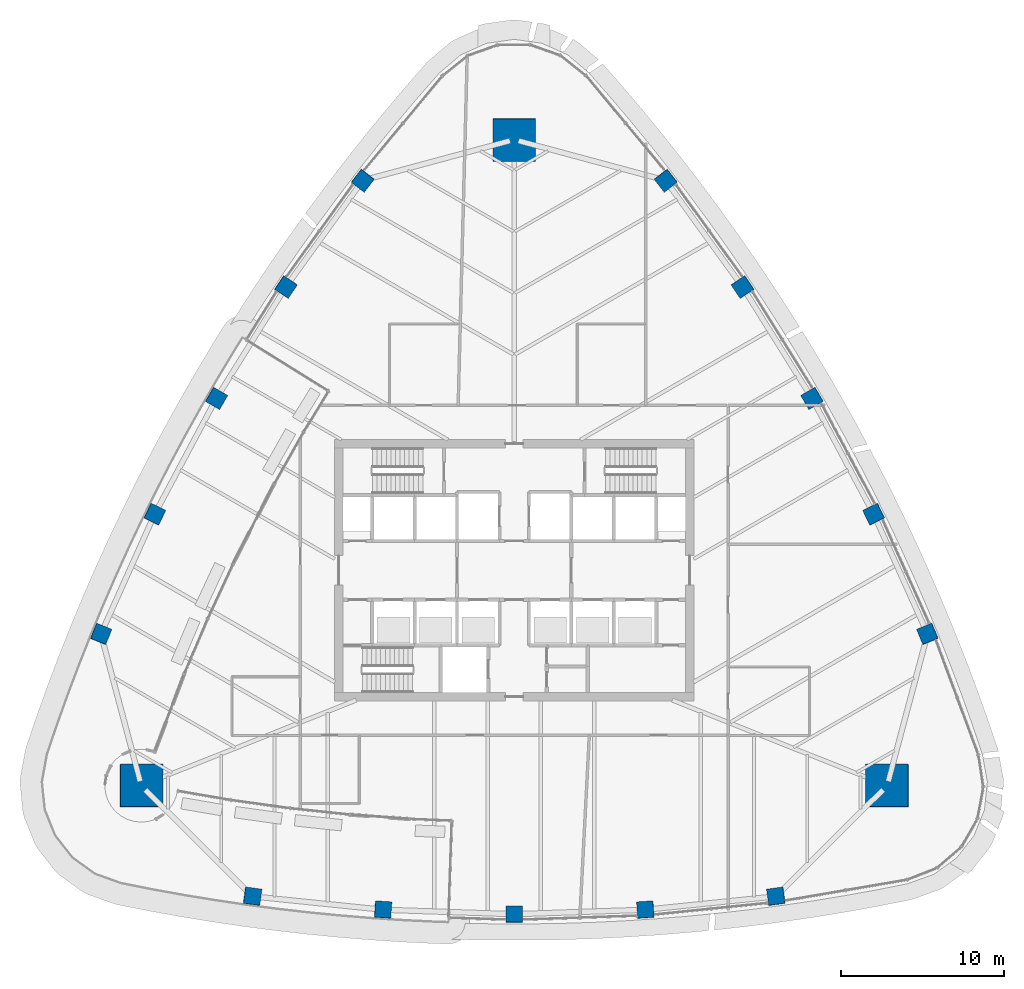
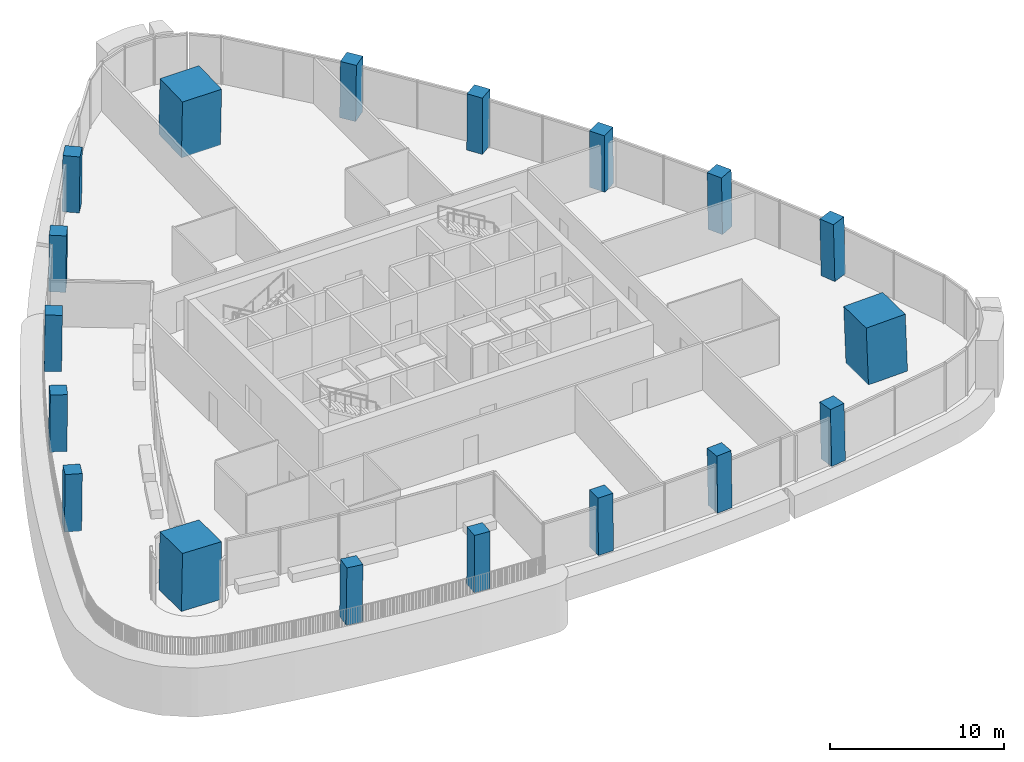
# One storey, part 1 of 18: 18 columns.
"""IFC4 building model written with IfcOpenShell, lengths in metres."""

import ifcopenshell
import ifcopenshell.guid

model = None  # the IFC model being written
_history = None  # IfcOwnerHistory: only IFC2X3 demands one
_inside = {}  # id of a spatial element -> (the spatial element, [elements in it])
_under = {}  # id of a project, library or spatial element -> (it, [spatial elements below it])
_declared = {}  # id of a project -> (the project, [libraries it declares])
_typed = {}  # id of a type object -> (the type object, [elements of that type])
_made_of = {}  # id of a material, layer set ... -> (it, [elements and type objects made of it])


def new_model(schema):
    """Start an empty IFC model of exactly this schema.

    Asked for "IFC4X3", IfcOpenShell would pick the latest addendum, in which some entities
    have other attributes; the version numbers below select the first issue.
    IFC2X3 requires an IfcOwnerHistory on every rooted entity: one is made here for all.
    """
    global model, _history
    if schema == "IFC4X3":
        model = ifcopenshell.file(schema_version=(4, 3, 0, 0))
    else:
        model = ifcopenshell.file(schema=schema)
    _inside.clear()
    _under.clear()
    _declared.clear()
    _typed.clear()
    _made_of.clear()
    _history = None
    if model.schema == "IFC2X3":
        org = make("IfcOrganization", Name="unknown")
        user = make(
            "IfcPersonAndOrganization",
            ThePerson=make("IfcPerson", FamilyName="unknown"),
            TheOrganization=org,
        )
        app = make(
            "IfcApplication",
            ApplicationDeveloper=org,
            Version="unknown",
            ApplicationFullName="unknown",
            ApplicationIdentifier="unknown",
        )
        _history = make(
            "IfcOwnerHistory",
            OwningUser=user,
            OwningApplication=app,
            ChangeAction="ADDED",
            CreationDate=0,
        )
    return model


def make(cls, **values):
    """One entity of the class cls with the attributes given. An attribute that is None is left unset."""
    return model.create_entity(
        cls, **{name: value for name, value in values.items() if value is not None}
    )


def rooted(cls, **values):
    """An entity with a GlobalId (a new one), such as an element, a storey or a relation."""
    return make(cls, GlobalId=ifcopenshell.guid.new(), OwnerHistory=_history, **values)


def si_unit(unit_type, name, prefix=None):
    """IfcSIUnit, for example si_unit("LENGTHUNIT", "METRE", prefix="MILLI")."""
    return make("IfcSIUnit", UnitType=unit_type, Prefix=prefix, Name=name)


def assignment(units):
    """IfcUnitAssignment: the units of a project."""
    return None if units is None else make("IfcUnitAssignment", Units=units)


def point(xyz):
    """IfcCartesianPoint."""
    return None if xyz is None else make("IfcCartesianPoint", Coordinates=xyz)


def direction(xyz):
    """IfcDirection."""
    return None if xyz is None else make("IfcDirection", DirectionRatios=xyz)


def frame(location, z_axis=None, x_axis=None):
    """IfcAxis2Placement3D, a coordinate frame: its origin and axes. An axis left out is left unset."""
    return make(
        "IfcAxis2Placement3D",
        Location=point(location),
        Axis=direction(z_axis),
        RefDirection=direction(x_axis),
    )


def frame_2d(location, x_axis=None):
    """IfcAxis2Placement2D, a coordinate frame in the plane: its origin and x axis."""
    return make(
        "IfcAxis2Placement2D", Location=point(location), RefDirection=direction(x_axis)
    )


def origin():
    """The frame at (0, 0, 0) with its axes left unset."""
    return frame((0.0, 0.0, 0.0))


def origin_2d():
    """The frame at (0, 0) in the plane with its x axis left unset."""
    return frame_2d((0.0, 0.0))


def place(relative_to, where):
    """IfcLocalPlacement: puts the frame where relative to a parent placement (None: the world)."""
    return make(
        "IfcLocalPlacement", PlacementRelTo=relative_to, RelativePlacement=where
    )


def context(
    kind, dimensions, precision=None, world=None, true_north=None, identifier=None
):
    """IfcGeometricRepresentationContext, for example the 3D "Model" context."""
    return make(
        "IfcGeometricRepresentationContext",
        ContextIdentifier=identifier,
        ContextType=kind,
        CoordinateSpaceDimension=dimensions,
        Precision=precision,
        WorldCoordinateSystem=world,
        TrueNorth=true_north,
    )


def subcontext(parent, identifier, kind, view, scale=None):
    """IfcGeometricRepresentationSubContext, for example "Body" below "Model"."""
    return make(
        "IfcGeometricRepresentationSubContext",
        ContextIdentifier=identifier,
        ContextType=kind,
        ParentContext=parent,
        TargetScale=scale,
        TargetView=view,
    )


def project(units=None, contexts=None):
    """IfcProject with its units and contexts."""
    return rooted(
        "IfcProject",
        Name="project",
        RepresentationContexts=contexts,
        UnitsInContext=assignment(units),
    )


def spatial(cls, under=None, at=None, **own):
    """A site, building, storey or space (cls), placed at a placement, below another one or the project."""
    s = rooted(cls, ObjectPlacement=at, **own)
    if under is not None:
        _under.setdefault(under.id(), (under, []))[1].append(s)
    return s


def profile(cls, at=None, kind="AREA", **sizes):
    """A parametric profile (cls). Its sizes go by their IFC names, for example OverallWidth=200.0."""
    return make(cls, ProfileType=kind, Position=at, **sizes)


def rectangle(**sizes):
    """IfcRectangleProfileDef."""
    return profile("IfcRectangleProfileDef", **sizes)


def extrude(swept, where, along, depth):
    """IfcExtrudedAreaSolid: the profile swept, set in the frame where, extruded along a direction by depth."""
    return make(
        "IfcExtrudedAreaSolid",
        SweptArea=swept,
        Position=where,
        ExtrudedDirection=direction(along),
        Depth=depth,
    )


def shape(context_of_items, identifier, shape_type, items):
    """IfcShapeRepresentation: the items that make up one representation, for example the "Body"."""
    return make(
        "IfcShapeRepresentation",
        ContextOfItems=context_of_items,
        RepresentationIdentifier=identifier,
        RepresentationType=shape_type,
        Items=items,
    )


def material(Name=None, Category=None):
    """IfcMaterial."""
    return make("IfcMaterial", Name=Name, Category=Category)


def material_profile(
    of_material, cross_section, Name=None, Category=None, Priority=None
):
    """IfcMaterialProfile: a cross section and its material."""
    return make(
        "IfcMaterialProfile",
        Name=Name,
        Material=of_material,
        Profile=cross_section,
        Priority=Priority,
        Category=Category,
    )


def profile_set(profiles, Name=None, composite=None):
    """IfcMaterialProfileSet."""
    return make(
        "IfcMaterialProfileSet",
        Name=Name,
        MaterialProfiles=profiles,
        CompositeProfile=composite,
    )


def made_of(thing, what):
    """Note that an element or type object is made of a material, layer set ...; save() writes the relation."""
    if what is not None:
        _made_of.setdefault(what.id(), (what, []))[1].append(thing)
    return thing


def type_object(cls, material=None, **own):
    """A type object (cls), such as IfcWallType, which elements share."""
    return made_of(rooted(cls, **own), material)


def element(
    cls,
    number,
    at=None,
    inside=None,
    cuts=None,
    type_object=None,
    material=None,
    context=None,
    identifier="Body",
    shape_type=None,
    held_by="IfcProductDefinitionShape",
    body=None,
    shapes=None,
    **own,
):
    """One element of the class cls, such as IfcWall. Its Tag is "e" and its number.

    at: its placement. inside: the storey or other place that contains it. cuts: it is an
    opening in that element (IfcRelVoidsElement). A single representation is given by context,
    identifier, shape_type and body (its items); several are given by shapes. held_by: the class
    of the entity that holds the representations. save() writes the other relations.
    """
    e = rooted(cls, Tag="e%d" % number, ObjectPlacement=at, **own)
    if body is not None:
        shapes = [shape(context, identifier, shape_type, body)]
    if shapes is not None:
        e.Representation = make(held_by, Representations=shapes)
    if inside is not None:
        _inside.setdefault(inside.id(), (inside, []))[1].append(e)
    if cuts is not None:
        rooted(
            "IfcRelVoidsElement", RelatingBuildingElement=cuts, RelatedOpeningElement=e
        )
    if type_object is not None:
        _typed.setdefault(type_object.id(), (type_object, []))[1].append(e)
    return made_of(e, material)


def aggregate(whole, parts):
    """IfcRelAggregates: a whole, such as a stair, and the parts it consists of."""
    return rooted("IfcRelAggregates", RelatingObject=whole, RelatedObjects=parts)


def save(model, path):
    """Write the relations noted so far, then the file.

    IfcRelAggregates (storeys below a building ...), IfcRelContainedInSpatialStructure (elements
    in a storey), IfcRelDefinesByType, IfcRelAssociatesMaterial and IfcRelDeclares: one each for
    every whole, place, type object, material and project.
    """
    for whole, parts in _under.values():
        aggregate(whole, parts)
    for where, things in _inside.values():
        rooted(
            "IfcRelContainedInSpatialStructure",
            RelatedElements=things,
            RelatingStructure=where,
        )
    for kind, things in _typed.values():
        rooted("IfcRelDefinesByType", RelatedObjects=things, RelatingType=kind)
    for what, things in _made_of.values():
        rooted("IfcRelAssociatesMaterial", RelatedObjects=things, RelatingMaterial=what)
    for by, libraries in _declared.values():
        rooted("IfcRelDeclares", RelatingContext=by, RelatedDefinitions=libraries)
    model.write(path)


model = new_model("IFC4")

# Units and contexts
model_context = context("Model", 3, precision=1e-05, world=origin(), true_north=direction((0.0, 1.0)))
body_context = subcontext(model_context, "Body", "Model", "MODEL_VIEW")
ifc_project = project(units=[si_unit("LENGTHUNIT", "METRE"), si_unit("AREAUNIT", "SQUARE_METRE"), si_unit("VOLUMEUNIT", "CUBIC_METRE"), si_unit("PLANEANGLEUNIT", "RADIAN"), si_unit("MASSUNIT", "GRAM", prefix="KILO")], contexts=[model_context])

# Site, building, storey
site_placement = place(None, origin())
site = spatial("IfcSite", under=ifc_project, at=site_placement, CompositionType="ELEMENT")
building_placement = place(site_placement, origin())
building = spatial("IfcBuilding", under=site, at=building_placement, Name="Sierra Prisma Convention Tower", CompositionType="ELEMENT")
storey_placement = place(building_placement, frame((0.0, 0.0, 205.800048828125)))
storey = spatial("IfcBuildingStorey", under=building, at=storey_placement, Name="L46", CompositionType="ELEMENT", Elevation=205.800048828125)

# Columns
ifc_material_1 = material(Name="Concrete C60/75", Category="concrete")
ifc_material_profile_1 = material_profile(ifc_material_1, rectangle(XDim=2.60009765625, YDim=2.60009765625, at=origin_2d()), Name="Mega column RC 2600 C60/75")
ifc_profile_set_1 = profile_set([ifc_material_profile_1], Name="Concrete C60/75")
column_type_1 = type_object("IfcColumnType", Name="Mega column RC 2600 C60/75", PredefinedType="COLUMN", material=ifc_profile_set_1)
for number, where, z_axis, x_axis, name in (
    (1, (22.851318359375, -13.193115234375, 0.0), (-0.027939561831, 0.016104900269, 0.999479871269), (0.999609614242, 0.000450139585, 0.027935935454), "Mega column SE L46"),
    (2, (0.0, 26.38623046875, 0.0), (0.0, -0.032270781071, 0.999479162709), (1.0, 0.0, 0.0), "Mega column N L46"),
    (3, (-22.851318359375, -13.193115234375, 0.0), (0.027939561831, 0.016104900269, 0.999479871269), (0.999609614242, -0.000450139585, -0.027935935454), "Mega column SW L46"),
):
    element("IfcColumn", number, at=place(storey_placement, frame(where, z_axis=z_axis, x_axis=x_axis)), inside=storey, type_object=column_type_1, Name=name, PredefinedType="COLUMN", context=body_context, shape_type="SweptSolid", body=[
        extrude(rectangle(XDim=2.60009765625, YDim=2.60009765625, at=origin_2d()), origin(), (0.0, 0.0, 1.0), 4.002197265625),
    ])
ifc_material_2 = material(Name="Concrete C60/75", Category="concrete")
ifc_material_profile_2 = material_profile(ifc_material_2, rectangle(XDim=1.0, YDim=1.0, at=origin_2d()), Name="Perimeter column RC 1000 C60/75")
ifc_profile_set_2 = profile_set([ifc_material_profile_2], Name="Concrete C60/75")
column_type_2 = type_object("IfcColumnType", Name="Perimeter column RC 1000 C60/75", PredefinedType="COLUMN", material=ifc_profile_set_2)
column_1_placement = place(storey_placement, frame((-16.043212890625, -19.98046875, 0.0), z_axis=(0.017574453011, 0.010434831475, 0.999791104628), x_axis=(-0.990640715354, 0.135554456771, 0.015998822871)))
element("IfcColumn", 4, at=column_1_placement, inside=storey, type_object=column_type_2, Name="Perimeter column S-1 L46", PredefinedType="COLUMN", context=body_context, shape_type="SweptSolid", body=[
    extrude(rectangle(XDim=1.0, YDim=1.0, at=origin_2d()), origin(), (0.0, 0.0, 1.0), 4.000732421875),
])
column_2_placement = place(storey_placement, frame((-8.040283203125, -20.79833984375, 0.0), z_axis=(0.008849199152, 0.01116829962, 0.999898475225), x_axis=(-0.997656714611, 0.067940759705, 0.008070499548)))
element("IfcColumn", 5, at=column_2_placement, inside=storey, type_object=column_type_2, Name="Perimeter column S-2 L46", PredefinedType="COLUMN", context=body_context, shape_type="SweptSolid", body=[
    extrude(rectangle(XDim=1.0, YDim=1.0, at=origin_2d()), origin(), (0.0, 0.0, 1.0), 4.00048828125),
])
column_3_placement = place(storey_placement, frame((0.0, -21.0712890625, 0.0), z_axis=(0.0, 0.01141283087, 0.999934871525), x_axis=(1.0, 0.0, 0.0)))
element("IfcColumn", 6, at=column_3_placement, inside=storey, type_object=column_type_2, Name="Perimeter column S-3 L46", PredefinedType="COLUMN", context=body_context, shape_type="SweptSolid", body=[
    extrude(rectangle(XDim=1.0, YDim=1.0, at=origin_2d()), origin(), (0.0, 0.0, 1.0), 4.000244140625),
])
column_4_placement = place(storey_placement, frame((8.040283203125, -20.79833984375, 0.0), z_axis=(-0.008849199152, 0.01116829962, 0.999898475225), x_axis=(0.997656714611, 0.067940759705, 0.008070499548)))
element("IfcColumn", 7, at=column_4_placement, inside=storey, type_object=column_type_2, Name="Perimeter column S-4 L46", PredefinedType="COLUMN", context=body_context, shape_type="SweptSolid", body=[
    extrude(rectangle(XDim=1.0, YDim=1.0, at=origin_2d()), origin(), (0.0, 0.0, 1.0), 4.00048828125),
])
for number, where, z_axis, x_axis, name in (
    (8, (16.043212890625, -19.98046875, 0.0), (-0.017574453011, 0.010434831475, 0.999791104628), (0.990640715354, 0.135554456771, 0.015998822871), "Perimeter column S-5 L46"),
    (9, (25.3251953125, -3.90380859375, 0.0), (-0.017818532551, 0.010068691339, 0.999790538739), (-0.378094222489, 0.925627800685, -0.016060308843), "Perimeter column NE-1 L46"),
):
    element("IfcColumn", number, at=place(storey_placement, frame(where, z_axis=z_axis, x_axis=x_axis)), inside=storey, type_object=column_type_2, Name=name, PredefinedType="COLUMN", context=body_context, shape_type="SweptSolid", body=[
        extrude(rectangle(XDim=1.0, YDim=1.0, at=origin_2d()), origin(), (0.0, 0.0, 1.0), 4.000732421875),
    ])
column_5_placement = place(storey_placement, frame((22.031982421875, 3.436279296875, 0.0), z_axis=(-0.014097691364, 0.002013955909, 0.999898594398), x_axis=(-0.440047461755, 0.897938764749, -0.008012874933)))
element("IfcColumn", 10, at=column_5_placement, inside=storey, type_object=column_type_2, Name="Perimeter column NE-2 L46", PredefinedType="COLUMN", context=body_context, shape_type="SweptSolid", body=[
    extrude(rectangle(XDim=1.0, YDim=1.0, at=origin_2d()), origin(), (0.0, 0.0, 1.0), 4.00048828125),
])
column_6_placement = place(storey_placement, frame((18.248291015625, 10.53564453125, 0.0), z_axis=(-0.009887052741, -0.005675900648, 0.999935013058), x_axis=(-0.49997556095, 0.866039512773, -2.7732311e-05)))
element("IfcColumn", 11, at=column_6_placement, inside=storey, type_object=column_type_2, Name="Perimeter column NE-3 L46", PredefinedType="COLUMN", context=body_context, shape_type="SweptSolid", body=[
    extrude(rectangle(XDim=1.0, YDim=1.0, at=origin_2d()), origin(), (0.0, 0.0, 1.0), 4.000244140625),
])
column_7_placement = place(storey_placement, frame((13.99169921875, 17.3623046875, 0.0), z_axis=(-0.005248490815, -0.013243284963, 0.999898529226), x_axis=(-0.557596902326, 0.830072656678, 0.008067165094)))
element("IfcColumn", 12, at=column_7_placement, inside=storey, type_object=column_type_2, Name="Perimeter column NE-4 L46", PredefinedType="COLUMN", context=body_context, shape_type="SweptSolid", body=[
    extrude(rectangle(XDim=1.0, YDim=1.0, at=origin_2d()), origin(), (0.0, 0.0, 1.0), 4.00048828125),
])
for number, where, z_axis, x_axis, name in (
    (13, (9.281982421875, 23.884033203125, 0.0), (-0.0002440896, -0.020442503975, 0.999791000385), (-0.612639458627, 0.790200388685, 0.016007481224), "Perimeter column NE-5 L46"),
    (14, (-9.281982421875, 23.884033203125, 0.0), (0.0002440896, -0.020442503975, 0.999791000385), (0.612639458627, 0.790200388685, 0.016007481224), "Perimeter column NW-1 L46"),
):
    element("IfcColumn", number, at=place(storey_placement, frame(where, z_axis=z_axis, x_axis=x_axis)), inside=storey, type_object=column_type_2, Name=name, PredefinedType="COLUMN", context=body_context, shape_type="SweptSolid", body=[
        extrude(rectangle(XDim=1.0, YDim=1.0, at=origin_2d()), origin(), (0.0, 0.0, 1.0), 4.000732421875),
    ])
column_8_placement = place(storey_placement, frame((-13.99169921875, 17.3623046875, 0.0), z_axis=(0.005248490815, -0.013243284963, 0.999898529226), x_axis=(0.557596902326, 0.830072656678, 0.008067165094)))
element("IfcColumn", 15, at=column_8_placement, inside=storey, type_object=column_type_2, Name="Perimeter column NW-2 L46", PredefinedType="COLUMN", context=body_context, shape_type="SweptSolid", body=[
    extrude(rectangle(XDim=1.0, YDim=1.0, at=origin_2d()), origin(), (0.0, 0.0, 1.0), 4.00048828125),
])
column_9_placement = place(storey_placement, frame((-18.248291015625, 10.53564453125, 0.0), z_axis=(0.009887052741, -0.005675900648, 0.999935013058), x_axis=(0.49997556095, 0.866039512773, -2.7732311e-05)))
element("IfcColumn", 16, at=column_9_placement, inside=storey, type_object=column_type_2, Name="Perimeter column NW-3 L46", PredefinedType="COLUMN", context=body_context, shape_type="SweptSolid", body=[
    extrude(rectangle(XDim=1.0, YDim=1.0, at=origin_2d()), origin(), (0.0, 0.0, 1.0), 4.000244140625),
])
column_10_placement = place(storey_placement, frame((-22.031982421875, 3.436279296875, 0.0), z_axis=(0.014097691364, 0.002013955909, 0.999898594398), x_axis=(0.440047461755, 0.897938764749, -0.008012874933)))
element("IfcColumn", 17, at=column_10_placement, inside=storey, type_object=column_type_2, Name="Perimeter column NW-4 L46", PredefinedType="COLUMN", context=body_context, shape_type="SweptSolid", body=[
    extrude(rectangle(XDim=1.0, YDim=1.0, at=origin_2d()), origin(), (0.0, 0.0, 1.0), 4.00048828125),
])
column_11_placement = place(storey_placement, frame((-25.3251953125, -3.90380859375, 0.0), z_axis=(0.017818532551, 0.010068691339, 0.999790538739), x_axis=(0.378094222489, 0.925627800685, -0.016060308843)))
element("IfcColumn", 18, at=column_11_placement, inside=storey, type_object=column_type_2, Name="Perimeter column NW-5 L46", PredefinedType="COLUMN", context=body_context, shape_type="SweptSolid", body=[
    extrude(rectangle(XDim=1.0, YDim=1.0, at=origin_2d()), origin(), (0.0, 0.0, 1.0), 4.000732421875),
])

save(model, "model.ifc")
